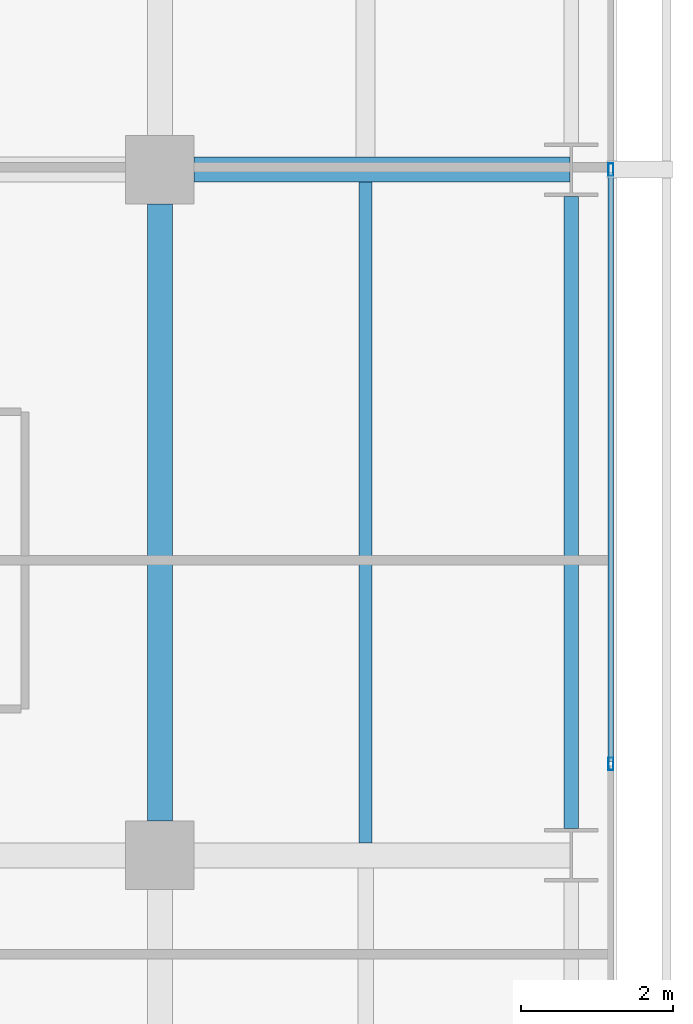
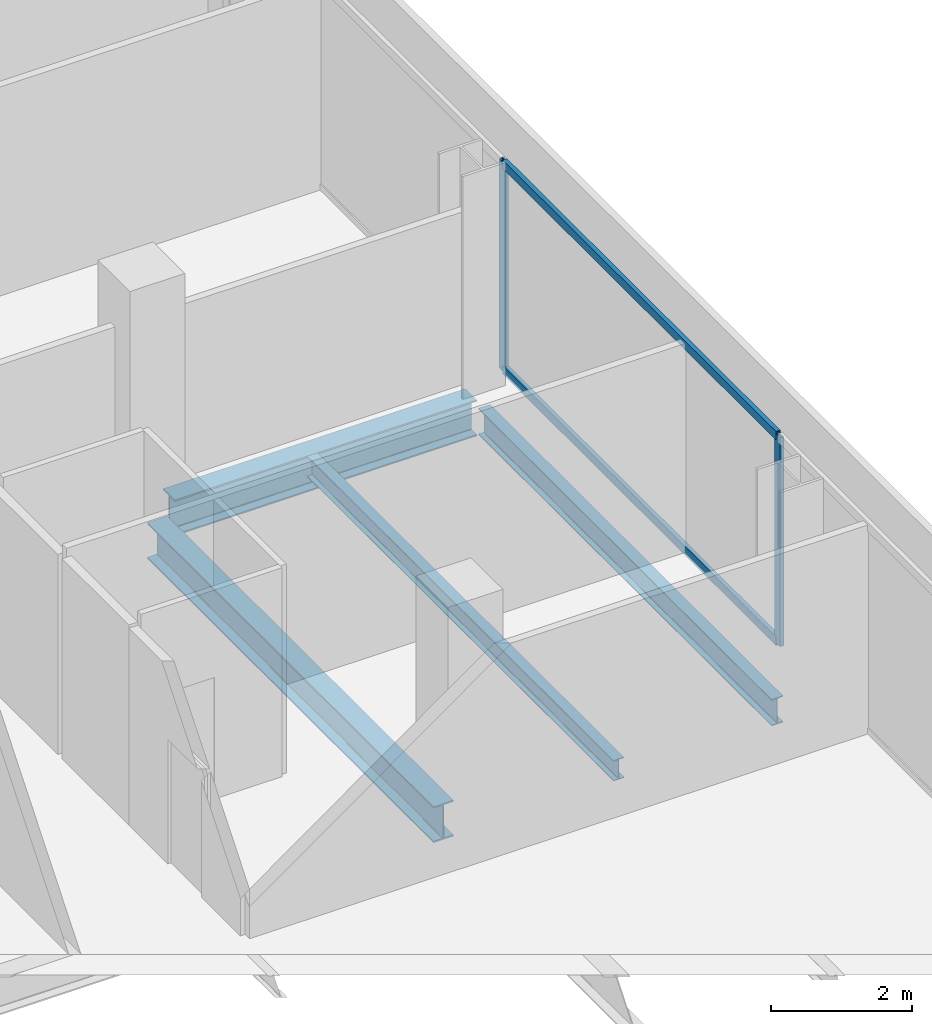
# One storey, part 19 of 39: 4 beams, 4 members, 1 element without a shape of its own.
"""IFC4 building model written with IfcOpenShell, lengths in metres."""

from ifc_helpers import new_model, si_unit, direction, frame, origin, origin_2d, place, context, subcontext, project, spatial, hollow_rectangle, i_section, extrude, material, layer, layer_set, material_profile, profile_set, type_object, element, aggregate, save


model = new_model("IFC4")

# Units and contexts
model_context = context("Model", 3, precision=1e-05, world=origin(), true_north=direction((0.0, 1.0)))
body_context = subcontext(model_context, "Body", "Model", "MODEL_VIEW")
ifc_project = project(units=[si_unit("LENGTHUNIT", "METRE"), si_unit("AREAUNIT", "SQUARE_METRE"), si_unit("VOLUMEUNIT", "CUBIC_METRE"), si_unit("PLANEANGLEUNIT", "RADIAN"), si_unit("MASSUNIT", "GRAM", prefix="KILO")], contexts=[model_context])

# Site, building, storey
site_placement = place(None, origin())
site = spatial("IfcSite", under=ifc_project, at=site_placement, CompositionType="ELEMENT")
building_placement = place(site_placement, origin())
building = spatial("IfcBuilding", under=site, at=building_placement, Name="Maruvema Waterfront Hotel and Observation Tower", CompositionType="ELEMENT")
storey_placement = place(building_placement, frame((0.0, 0.0, 46.199951171875)))
storey = spatial("IfcBuildingStorey", under=building, at=storey_placement, Name="L10", CompositionType="ELEMENT", Elevation=46.199951171875)

# Curtain wall, members
ifc_material_1 = material(Name="Anodised bronze aluminium and solar-control low-E IGU", Category="aluminium")
ifc_layer = layer(ifc_material_1, 0.159912109375, Name="Zone 1 Bronze Inner Thermal Curtain Wall System CW-02")
ifc_layer_set = layer_set([ifc_layer], Name="Anodised bronze aluminium and solar-control low-E IGU")
curtain_wall_type = type_object("IfcCurtainWallType", Name="Zone 1 Bronze Inner Thermal Curtain Wall System CW-02", PredefinedType="USERDEFINED", material=ifc_layer_set)
curtain_wall_placement = place(storey_placement, origin())
curtain_wall = element("IfcCurtainWall", 1, at=curtain_wall_placement, inside=storey, type_object=curtain_wall_type, Name="L10 Curtain Wall CW-L10-E", ObjectType="UNITISED CURTAIN WALL", PredefinedType="USERDEFINED")
ifc_material_2 = material(Name="Anodised architectural bronze aluminium", Category="aluminium")
ifc_material_profile_1 = material_profile(ifc_material_2, hollow_rectangle(XDim=0.070068359375, YDim=0.14990234375, WallThickness=0.00390625, at=origin_2d()), Name="ALU-T70x150")
ifc_profile_set_1 = profile_set([ifc_material_profile_1], Name="Anodised architectural bronze aluminium")
member_type_1 = type_object("IfcMemberType", Name="Curtain Wall Horizontal Transom ALU-T70x150", PredefinedType="USERDEFINED", material=ifc_profile_set_1)
member_1_placement = place(storey_placement, frame((64.719970703125, 19.22998046875, 0.030029296875), z_axis=(0.0, 1.0, 0.0), x_axis=(-1.0, 0.0, 0.0)))
member_1 = element("IfcMember", 2, at=member_1_placement, type_object=member_type_1, Name="CW-02 transom 3.1", ObjectType="TRANSOM", PredefinedType="USERDEFINED", context=body_context, shape_type="SweptSolid", body=[
    extrude(hollow_rectangle(XDim=0.070068359375, YDim=0.14990234375, WallThickness=0.00390625, at=origin_2d()), origin(), (0.0, 0.0, 1.0), 7.739990234375),
])
member_2_placement = place(storey_placement, frame((64.719970703125, 19.22998046875, 3.580078125), z_axis=(0.0, 1.0, 0.0), x_axis=(-1.0, 0.0, 0.0)))
member_2 = element("IfcMember", 3, at=member_2_placement, type_object=member_type_1, Name="CW-02 transom 3.2", ObjectType="TRANSOM", PredefinedType="USERDEFINED", context=body_context, shape_type="SweptSolid", body=[
    extrude(hollow_rectangle(XDim=0.070068359375, YDim=0.14990234375, WallThickness=0.00390625, at=origin_2d()), origin(), (0.0, 0.0, 1.0), 7.739990234375),
])
ifc_material_3 = material(Name="Anodised architectural bronze aluminium", Category="aluminium")
ifc_material_profile_2 = material_profile(ifc_material_3, hollow_rectangle(XDim=0.06494140625, YDim=0.1650390625, WallThickness=0.00390625, at=origin_2d()), Name="ALU-M65x165")
ifc_profile_set_2 = profile_set([ifc_material_profile_2], Name="Anodised architectural bronze aluminium")
member_type_2 = type_object("IfcMemberType", Name="Curtain Wall Primary Mullion ALU-M65x165", PredefinedType="MULLION", material=ifc_profile_set_2)
member_3_placement = place(storey_placement, frame((64.719970703125, 19.199951171875, 0.0), z_axis=(0.0, 0.0, 1.0), x_axis=(-1.0, 0.0, 0.0)))
member_3 = element("IfcMember", 4, at=member_3_placement, type_object=member_type_2, Name="CW-02 mullion 3", PredefinedType="MULLION", context=body_context, shape_type="SweptSolid", body=[
    extrude(hollow_rectangle(XDim=0.06494140625, YDim=0.1650390625, WallThickness=0.00390625, at=origin_2d()), origin(), (0.0, 0.0, 1.0), 3.610107421875),
])
member_4_placement = place(storey_placement, frame((64.719970703125, 27.0, 0.0), z_axis=(0.0, 0.0, 1.0), x_axis=(-1.0, 0.0, 0.0)))
member_4 = element("IfcMember", 5, at=member_4_placement, type_object=member_type_2, Name="CW-02 mullion 4", PredefinedType="MULLION", context=body_context, shape_type="SweptSolid", body=[
    extrude(hollow_rectangle(XDim=0.06494140625, YDim=0.1650390625, WallThickness=0.00390625, at=origin_2d()), origin(), (0.0, 0.0, 1.0), 3.610107421875),
])
aggregate(curtain_wall, [member_3, member_4, member_1, member_2])

# Beams
ifc_material_4 = material(Name="Steel ASTM A572 Grade 50", Category="steel")
ifc_material_profile_3 = material_profile(ifc_material_4, i_section(OverallWidth=0.18994140625, OverallDepth=0.45703125, WebThickness=0.009033203125, FlangeThickness=0.014404296875, FilletRadius=0.014892578125, at=origin_2d()), Name="W460x74.0")
ifc_profile_set_3 = profile_set([ifc_material_profile_3], Name="Steel ASTM A572 Grade 50")
beam_type_1 = type_object("IfcBeamType", Name="Perimeter Spandrel Beam W460x74.0", PredefinedType="SPANDREL", material=ifc_profile_set_3)
beam_1_placement = place(storey_placement, frame((64.199951171875, 18.35009765625, -0.468505859375), z_axis=(0.0, 1.0, 0.0), x_axis=(-1.0, 0.0, 0.0)))
element("IfcBeam", 6, at=beam_1_placement, inside=storey, type_object=beam_type_1, Name="L10 Floor Girder NS-34", PredefinedType="SPANDREL", context=body_context, shape_type="SweptSolid", body=[
    extrude(i_section(OverallWidth=0.18994140625, OverallDepth=0.45703125, WebThickness=0.009033203125, FlangeThickness=0.014404296875, FilletRadius=0.014892578125, at=origin_2d()), origin(), (0.0, 0.0, 1.0), 8.2998046875),
])
ifc_material_5 = material(Name="Steel ASTM A572 Grade 50", Category="steel")
ifc_material_profile_4 = material_profile(ifc_material_5, i_section(OverallWidth=0.326904296875, OverallDepth=0.6220703125, WebThickness=0.015380859375, FlangeThickness=0.0244140625, FilletRadius=0.01806640625, at=origin_2d()), Name="W610x195.0")
ifc_profile_set_4 = profile_set([ifc_material_profile_4], Name="Steel ASTM A572 Grade 50")
beam_type_2 = type_object("IfcBeamType", Name="Primary Floor Girder W610x195.0", PredefinedType="BEAM", material=ifc_profile_set_4)
beam_2_placement = place(storey_placement, frame((59.25, 27.0, -0.551025390625), z_axis=(1.0, 0.0, 0.0), x_axis=(0.0, 1.0, 0.0)))
element("IfcBeam", 7, at=beam_2_placement, inside=storey, type_object=beam_type_2, Name="L10 Floor Girder EW-24", PredefinedType="BEAM", context=body_context, shape_type="SweptSolid", body=[
    extrude(i_section(OverallWidth=0.326904296875, OverallDepth=0.6220703125, WebThickness=0.015380859375, FlangeThickness=0.0244140625, FilletRadius=0.01806640625, at=origin_2d()), origin(), (0.0, 0.0, 1.0), 4.93603515625),
])
beam_3_placement = place(storey_placement, frame((58.800048828125, 18.449951171875, -0.551025390625), z_axis=(0.0, 1.0, 0.0), x_axis=(-1.0, 0.0, 0.0)))
element("IfcBeam", 8, at=beam_3_placement, inside=storey, type_object=beam_type_2, Name="L10 Floor Girder NS-29", PredefinedType="BEAM", context=body_context, shape_type="SweptSolid", body=[
    extrude(i_section(OverallWidth=0.326904296875, OverallDepth=0.6220703125, WebThickness=0.015380859375, FlangeThickness=0.0244140625, FilletRadius=0.01806640625, at=origin_2d()), origin(), (0.0, 0.0, 1.0), 8.10009765625),
])
ifc_material_6 = material(Name="Steel ASTM A572 Grade 50", Category="steel")
ifc_material_profile_5 = material_profile(ifc_material_6, i_section(OverallWidth=0.1708984375, OverallDepth=0.35498046875, WebThickness=0.007080078125, FlangeThickness=0.01171875, FilletRadius=0.014892578125, at=origin_2d()), Name="W360x51.0")
ifc_profile_set_5 = profile_set([ifc_material_profile_5], Name="Steel ASTM A572 Grade 50")
beam_type_3 = type_object("IfcBeamType", Name="Secondary Floor Joist W360x51.0", PredefinedType="JOIST", material=ifc_profile_set_5)
beam_4_placement = place(storey_placement, frame((61.5, 18.16357421875, -0.41748046875), z_axis=(0.0, 1.0, 0.0), x_axis=(-1.0, 0.0, 0.0)))
element("IfcBeam", 9, at=beam_4_placement, inside=storey, type_object=beam_type_3, Name="L10 Secondary Floor Joist JS-22", PredefinedType="JOIST", context=body_context, shape_type="SweptSolid", body=[
    extrude(i_section(OverallWidth=0.1708984375, OverallDepth=0.35498046875, WebThickness=0.007080078125, FlangeThickness=0.01171875, FilletRadius=0.014892578125, at=origin_2d()), origin(), (0.0, 0.0, 1.0), 8.6728515625),
])

save(model, "model.ifc")
